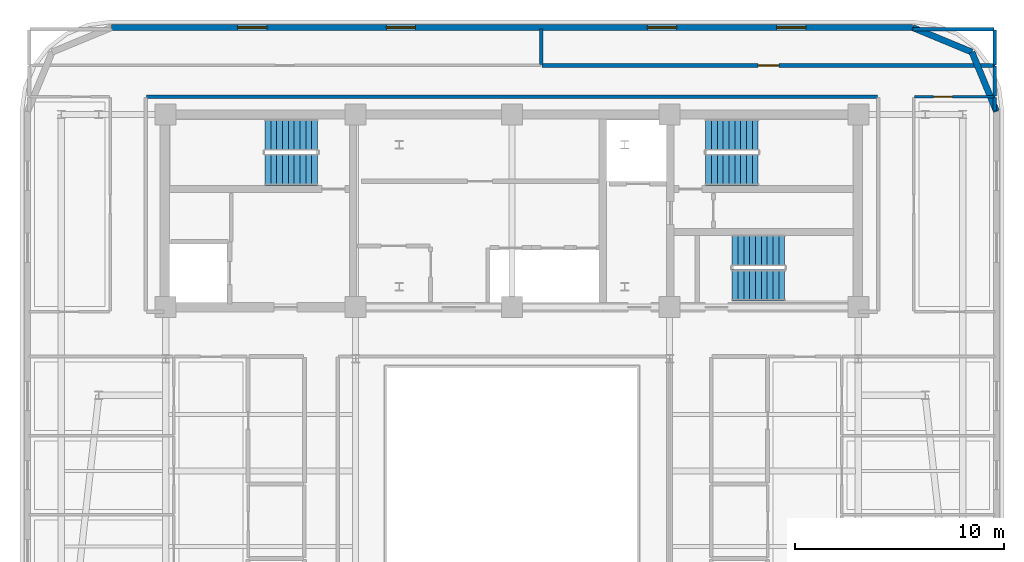
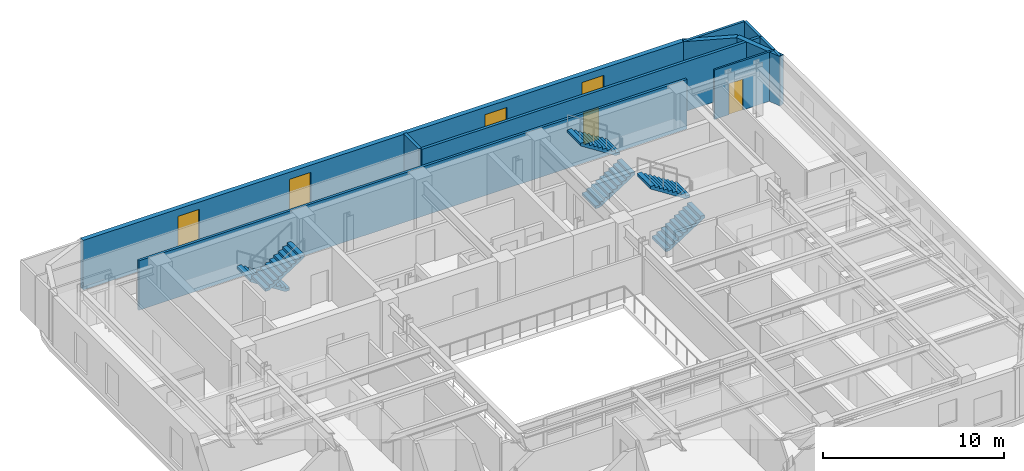
# One storey, part 10 of 14: 11 walls, 6 stair flights, 4 windows, 2 doors, 6 openings, 3 elements without a shape of their own.
"""IFC4 building model written with IfcOpenShell, lengths in metres."""

from ifc_helpers import new_model, si_unit, direction, frame, frame_2d, origin, place, context, subcontext, project, spatial, polyline, rectangle, outline, extrude, material, layer, layer_set, type_object, element, fill, aggregate, save


model = new_model("IFC4")

# Units and contexts
model_context = context("Model", 3, precision=1e-05, world=origin(), true_north=direction((0.0, 1.0)))
body_context = subcontext(model_context, "Body", "Model", "MODEL_VIEW")
ifc_project = project(units=[si_unit("LENGTHUNIT", "METRE"), si_unit("AREAUNIT", "SQUARE_METRE"), si_unit("VOLUMEUNIT", "CUBIC_METRE"), si_unit("PLANEANGLEUNIT", "RADIAN"), si_unit("MASSUNIT", "GRAM", prefix="KILO")], contexts=[model_context])

# Site, building, storey
site_placement = place(None, origin())
site = spatial("IfcSite", under=ifc_project, at=site_placement, CompositionType="ELEMENT")
building_placement = place(site_placement, origin())
building = spatial("IfcBuilding", under=site, at=building_placement, Name="Zarnavel Station Tower", CompositionType="ELEMENT")
storey_placement = place(building_placement, frame((0.0, 0.0, 225.60009765625)))
storey = spatial("IfcBuildingStorey", under=building, at=storey_placement, Name="L61", CompositionType="ELEMENT", Elevation=225.60009765625)

# Walls
ifc_material_1 = material(Name="Precast concrete C45/55 (Dark Basalt Finish)", Category="masonry")
ifc_layer_1 = layer(ifc_material_1, 0.300048828125)
ifc_layer_set_1 = layer_set([ifc_layer_1], Name="EW_BASALT_300")
wall_type_1 = type_object("IfcWallType", Name="EW_BASALT_300", PredefinedType="SOLIDWALL", material=ifc_layer_set_1)
for number, where, z_axis, x_axis, name in (
    (1, (50.842529296875, 40.04248046875, 0.0), (0.0, 0.0, 1.0), (0.382704529509, -0.923870793506, 0.0), "L61 Exterior Basalt Masonry Frame Wall 04"),
    (2, (48.0, 41.219970703125, 0.0), (0.0, 0.0, 1.0), (0.923870793506, -0.382704529509, 0.0), "L61 Exterior Basalt Masonry Frame Wall 05"),
):
    element("IfcWall", number, at=place(storey_placement, frame(where, z_axis=z_axis, x_axis=x_axis)), inside=storey, type_object=wall_type_1, Name=name, PredefinedType="SOLIDWALL", context=body_context, shape_type="SweptSolid", body=[
        extrude(rectangle(XDim=3.07666015625, YDim=0.300048828125, at=frame_2d((1.538330078125, 0.0))), origin(), (0.0, 0.0, 1.0), 3.33984375),
    ])

# Wall, openings, windows
wall_1_placement = place(storey_placement, frame((9.60009765625, 41.219970703125, 0.0), z_axis=(0.0, 0.0, 1.0), x_axis=(1.0, 0.0, 0.0)))
wall_1 = element("IfcWall", 3, at=wall_1_placement, inside=storey, type_object=wall_type_1, Name="L61 Exterior Basalt Masonry Frame Wall 06", PredefinedType="SOLIDWALL", context=body_context, shape_type="SweptSolid", body=[
    extrude(rectangle(XDim=38.39990234375, YDim=0.300048828125, at=frame_2d((19.199951171875, 0.0))), origin(), (0.0, 0.0, 1.0), 3.33984375),
])
opening_1_placement = place(wall_1_placement, frame((6.046630859375, 0.0, 0.75)))
opening_1 = element("IfcOpeningElement", 4, at=opening_1_placement, cuts=wall_1, Name="Opening WN04", PredefinedType="OPENING", context=body_context, shape_type="SweptSolid", body=[
    extrude(rectangle(XDim=1.39990234375, YDim=2.10009765625, at=frame_2d((0.699951171875, 1.050048828125))), frame((0.0, 0.159912109375, 0.0), z_axis=(0.0, -1.0, 0.0), x_axis=(1.0, 0.0, 0.0)), (0.0, 0.0, 1.0), 0.320068359375),
])
opening_2_placement = place(wall_1_placement, frame((13.17333984375, 0.0, 0.75)))
opening_2 = element("IfcOpeningElement", 5, at=opening_2_placement, cuts=wall_1, Name="Opening WN04", PredefinedType="OPENING", context=body_context, shape_type="SweptSolid", body=[
    extrude(rectangle(XDim=1.39990234375, YDim=2.10009765625, at=frame_2d((0.699951171875, 1.050048828125))), frame((0.0, 0.159912109375, 0.0), z_axis=(0.0, -1.0, 0.0), x_axis=(1.0, 0.0, 0.0)), (0.0, 0.0, 1.0), 0.320068359375),
])
opening_3_placement = place(wall_1_placement, frame((25.693359375, 0.0, 0.75)))
opening_3 = element("IfcOpeningElement", 6, at=opening_3_placement, cuts=wall_1, Name="Opening WN04", PredefinedType="OPENING", context=body_context, shape_type="SweptSolid", body=[
    extrude(rectangle(XDim=1.39990234375, YDim=2.10009765625, at=frame_2d((0.699951171875, 1.050048828125))), frame((0.0, 0.159912109375, 0.0), z_axis=(0.0, -1.0, 0.0), x_axis=(1.0, 0.0, 0.0)), (0.0, 0.0, 1.0), 0.320068359375),
])
opening_4_placement = place(wall_1_placement, frame((31.88671875, 0.0, 0.75)))
opening_4 = element("IfcOpeningElement", 7, at=opening_4_placement, cuts=wall_1, Name="Opening WN04", PredefinedType="OPENING", context=body_context, shape_type="SweptSolid", body=[
    extrude(rectangle(XDim=1.39990234375, YDim=2.10009765625, at=frame_2d((0.699951171875, 1.050048828125))), frame((0.0, 0.159912109375, 0.0), z_axis=(0.0, -1.0, 0.0), x_axis=(1.0, 0.0, 0.0)), (0.0, 0.0, 1.0), 0.320068359375),
])
ifc_material_2 = material(Name="Thermally Broken Black Aluminium and Low-E Dark Glass", Category="aluminium")
window_type = type_object("IfcWindowType", Name="WN_1400x2100", PartitioningType="DOUBLE_PANEL_VERTICAL", PredefinedType="WINDOW", material=ifc_material_2)
window_1_placement = place(opening_1_placement, origin())
window_1 = element("IfcWindow", 8, at=window_1_placement, inside=storey, type_object=window_type, Name="L61 Recessed Facade Window 01", OverallHeight=2.10009765625, OverallWidth=1.39990234375, PartitioningType="SINGLE_PANEL", PredefinedType="WINDOW", context=body_context, shape_type="SweptSolid", body=[
    extrude(rectangle(XDim=1.39990234375, YDim=2.10009765625, at=frame_2d((0.699951171875, 1.050048828125))), frame((0.0, 0.030029296875, 0.0), z_axis=(0.0, -1.0, 0.0), x_axis=(1.0, 0.0, 0.0)), (0.0, 0.0, 1.0), 0.06005859375),
])
fill(opening_1, window_1)
window_2_placement = place(opening_2_placement, origin())
window_2 = element("IfcWindow", 9, at=window_2_placement, inside=storey, type_object=window_type, Name="L61 Recessed Facade Window 02", OverallHeight=2.10009765625, OverallWidth=1.39990234375, PartitioningType="SINGLE_PANEL", PredefinedType="WINDOW", context=body_context, shape_type="SweptSolid", body=[
    extrude(rectangle(XDim=1.39990234375, YDim=2.10009765625, at=frame_2d((0.699951171875, 1.050048828125))), frame((0.0, 0.030029296875, 0.0), z_axis=(0.0, -1.0, 0.0), x_axis=(1.0, 0.0, 0.0)), (0.0, 0.0, 1.0), 0.06005859375),
])
fill(opening_2, window_2)
window_3_placement = place(opening_3_placement, origin())
window_3 = element("IfcWindow", 10, at=window_3_placement, inside=storey, type_object=window_type, Name="L61 Recessed Facade Window 03", OverallHeight=2.10009765625, OverallWidth=1.39990234375, PartitioningType="SINGLE_PANEL", PredefinedType="WINDOW", context=body_context, shape_type="SweptSolid", body=[
    extrude(rectangle(XDim=1.39990234375, YDim=2.10009765625, at=frame_2d((0.699951171875, 1.050048828125))), frame((0.0, 0.030029296875, 0.0), z_axis=(0.0, -1.0, 0.0), x_axis=(1.0, 0.0, 0.0)), (0.0, 0.0, 1.0), 0.06005859375),
])
fill(opening_3, window_3)
window_4_placement = place(opening_4_placement, origin())
window_4 = element("IfcWindow", 11, at=window_4_placement, inside=storey, type_object=window_type, Name="L61 Recessed Facade Window 04", OverallHeight=2.10009765625, OverallWidth=1.39990234375, PartitioningType="SINGLE_PANEL", PredefinedType="WINDOW", context=body_context, shape_type="SweptSolid", body=[
    extrude(rectangle(XDim=1.39990234375, YDim=2.10009765625, at=frame_2d((0.699951171875, 1.050048828125))), frame((0.0, 0.030029296875, 0.0), z_axis=(0.0, -1.0, 0.0), x_axis=(1.0, 0.0, 0.0)), (0.0, 0.0, 1.0), 0.06005859375),
])
fill(opening_4, window_4)

# Walls
ifc_material_3 = material(Name="Gypsum Twin-Stud Acoustic Fire Partition", Category="concrete")
ifc_layer_2 = layer(ifc_material_3, 0.159912109375)
ifc_layer_set_2 = layer_set([ifc_layer_2], Name="PT_DEMISE_160")
wall_type_2 = type_object("IfcWallType", Name="PT_DEMISE_160", PredefinedType="PARTITIONING", material=ifc_layer_set_2)
wall_2_placement = place(storey_placement, frame((11.280029296875, 37.89990234375, 0.0), z_axis=(0.0, 0.0, 1.0), x_axis=(1.0, 0.0, 0.0)))
element("IfcWall", 12, at=wall_2_placement, inside=storey, type_object=wall_type_2, Name="L61 Enclosure Wall COR-N", PredefinedType="PARTITIONING", context=body_context, shape_type="SweptSolid", body=[
    extrude(rectangle(XDim=35.0400390625, YDim=0.159912109375, at=frame_2d((17.52001953125, 0.0))), origin(), (0.0, 0.0, 1.0), 3.33984375),
])
wall_3_placement = place(storey_placement, frame((51.93994140625, 37.929931640625, 0.0), z_axis=(0.0, 0.0, 1.0), x_axis=(0.0, 1.0, 0.0)))
element("IfcWall", 13, at=wall_3_placement, inside=storey, type_object=wall_type_2, Name="L61 Enclosure Wall COR-N", PredefinedType="PARTITIONING", context=body_context, shape_type="SweptSolid", body=[
    extrude(rectangle(XDim=1.440185546875, YDim=0.159912109375, at=frame_2d((0.72021484375, 0.0))), origin(), (0.0, 0.0, 1.0), 3.33984375),
])
wall_4_placement = place(storey_placement, frame((51.93994140625, 37.22998046875, 0.0), z_axis=(0.0, 0.0, 1.0), x_axis=(0.0, 1.0, 0.0)))
element("IfcWall", 14, at=wall_4_placement, inside=storey, type_object=wall_type_2, Name="L61 Enclosure Wall FNE", PredefinedType="PARTITIONING", context=body_context, shape_type="SweptSolid", body=[
    extrude(rectangle(XDim=0.64013671875, YDim=0.159912109375, at=frame_2d((0.320068359375, 0.0))), origin(), (0.0, 0.0, 1.0), 3.33984375),
])
wall_5_placement = place(storey_placement, frame((48.030029296875, 41.139892578125, 0.0), z_axis=(0.0, 0.0, 1.0), x_axis=(1.0, 0.0, 0.0)))
element("IfcWall", 15, at=wall_5_placement, inside=storey, type_object=wall_type_2, Name="L61 Enclosure Wall NPAN", PredefinedType="PARTITIONING", context=body_context, shape_type="SweptSolid", body=[
    extrude(rectangle(XDim=3.8798828125, YDim=0.159912109375, at=frame_2d((1.93994140625, 0.0))), origin(), (0.0, 0.0, 1.0), 3.33984375),
])
wall_6_placement = place(storey_placement, frame((51.93994140625, 39.429931640625, 0.0), z_axis=(0.0, 0.0, 1.0), x_axis=(0.0, 1.0, 0.0)))
element("IfcWall", 16, at=wall_6_placement, inside=storey, type_object=wall_type_2, Name="L61 Enclosure Wall NPAN", PredefinedType="PARTITIONING", context=body_context, shape_type="SweptSolid", body=[
    extrude(rectangle(XDim=1.68017578125, YDim=0.159912109375, at=frame_2d((0.840087890625, 0.0))), origin(), (0.0, 0.0, 1.0), 3.33984375),
])

# Wall, opening, door
ifc_material_4 = material(Name="Gypsum Metal-Stud Interior Partition", Category="concrete")
ifc_layer_3 = layer(ifc_material_4, 0.1201171875)
ifc_layer_set_3 = layer_set([ifc_layer_3], Name="PT_ROOM_120")
wall_type_3 = type_object("IfcWallType", Name="PT_ROOM_120", PredefinedType="PARTITIONING", material=ifc_layer_set_3)
wall_7_placement = place(storey_placement, frame((48.090087890625, 37.89990234375, 0.0), z_axis=(0.0, 0.0, 1.0), x_axis=(1.0, 0.0, 0.0)))
wall_7 = element("IfcWall", 17, at=wall_7_placement, inside=storey, type_object=wall_type_3, Name="L61 Partition COR-N-FNE", PredefinedType="PARTITIONING", context=body_context, shape_type="SweptSolid", body=[
    extrude(rectangle(XDim=3.849853515625, YDim=0.1201171875, at=frame_2d((1.9248046875, 0.0))), origin(), (0.0, 0.0, 1.0), 3.33984375),
])
opening_5_placement = place(wall_7_placement, frame((0.918701171875, 0.0, 0.0)))
opening_5 = element("IfcOpeningElement", 18, at=opening_5_placement, cuts=wall_7, Name="Opening ID01", PredefinedType="OPENING", context=body_context, shape_type="SweptSolid", body=[
    extrude(rectangle(XDim=0.89990234375, YDim=2.10009765625, at=frame_2d((0.449951171875, 1.050048828125))), frame((0.0, 0.070068359375, 0.0), z_axis=(0.0, -1.0, 0.0), x_axis=(1.0, 0.0, 0.0)), (0.0, 0.0, 1.0), 0.14013671875),
])
ifc_material_5 = material(Name="Painted Galvanised Steel and Hardwood Leaf", Category="steel")
door_type_1 = type_object("IfcDoorType", Name="ID_ROOM_900", OperationType="NOTDEFINED", PredefinedType="DOOR", material=ifc_material_5)
door_1_placement = place(opening_5_placement, origin())
door_1 = element("IfcDoor", 19, at=door_1_placement, inside=storey, type_object=door_type_1, Name="L61 Door COR-N-FNE", OperationType="SINGLE_SWING_RIGHT", OverallHeight=2.10009765625, OverallWidth=0.89990234375, PredefinedType="DOOR", context=body_context, shape_type="SweptSolid", body=[
    extrude(rectangle(XDim=0.89990234375, YDim=2.10009765625, at=frame_2d((0.449951171875, 1.050048828125))), frame((0.0, 0.02490234375, 0.0), z_axis=(0.0, -1.0, 0.0), x_axis=(1.0, 0.0, 0.0)), (0.0, 0.0, 1.0), 0.050048828125),
])
fill(opening_5, door_1)

ifc_material_6 = material(Name="Moisture-Resistant Plumbing Chase Wall", Category="concrete")
ifc_layer_4 = layer(ifc_material_6, 0.179931640625)
ifc_layer_set_4 = layer_set([ifc_layer_4], Name="PW_PLUMB_180")
wall_type_4 = type_object("IfcWallType", Name="PW_PLUMB_180", PredefinedType="PLUMBINGWALL", material=ifc_layer_set_4)
wall_8_placement = place(storey_placement, frame((30.239990234375, 39.39990234375, 0.0), z_axis=(0.0, 0.0, 1.0), x_axis=(1.0, 0.0, 0.0)))
wall_8 = element("IfcWall", 20, at=wall_8_placement, inside=storey, type_object=wall_type_4, Name="L61 Partition COR-N-NPAN", PredefinedType="PLUMBINGWALL", context=body_context, shape_type="SweptSolid", body=[
    extrude(rectangle(XDim=21.699951171875, YDim=0.179931640625, at=frame_2d((10.85009765625, 0.0))), origin(), (0.0, 0.0, 1.0), 3.33984375),
])
opening_6_placement = place(wall_8_placement, frame((10.35009765625, 0.0, 0.0)))
opening_6 = element("IfcOpeningElement", 21, at=opening_6_placement, cuts=wall_8, Name="Opening FD02", PredefinedType="OPENING", context=body_context, shape_type="SweptSolid", body=[
    extrude(rectangle(XDim=1.0, YDim=2.14990234375, at=frame_2d((0.5, 1.074951171875))), frame((0.0, 0.099853515625, 0.0), z_axis=(0.0, -1.0, 0.0), x_axis=(1.0, 0.0, 0.0)), (0.0, 0.0, 1.0), 0.199951171875),
])
ifc_material_7 = material(Name="Painted Galvanised Steel and Hardwood Leaf", Category="steel")
door_type_2 = type_object("IfcDoorType", Name="ID_ENTRY_1000", OperationType="NOTDEFINED", PredefinedType="DOOR", material=ifc_material_7)
door_2_placement = place(opening_6_placement, origin())
door_2 = element("IfcDoor", 22, at=door_2_placement, inside=storey, type_object=door_type_2, Name="L61 Door COR-N-NPAN", OperationType="SINGLE_SWING_RIGHT", OverallHeight=2.14990234375, OverallWidth=1.0, PredefinedType="DOOR", context=body_context, shape_type="SweptSolid", body=[
    extrude(rectangle(XDim=1.0, YDim=2.14990234375, at=frame_2d((0.5, 1.074951171875))), frame((0.0, 0.02490234375, 0.0), z_axis=(0.0, -1.0, 0.0), x_axis=(1.0, 0.0, 0.0)), (0.0, 0.0, 1.0), 0.050048828125),
])
fill(opening_6, door_2)

# Wall
wall_9_placement = place(storey_placement, frame((30.199951171875, 39.43994140625, 0.0), z_axis=(0.0, 0.0, 1.0), x_axis=(0.0, 1.0, 0.0)))
element("IfcWall", 23, at=wall_9_placement, inside=storey, type_object=wall_type_4, Name="L61 Partition NLOU-NPAN", PredefinedType="PLUMBINGWALL", context=body_context, shape_type="SweptSolid", body=[
    extrude(rectangle(XDim=1.699951171875, YDim=0.179931640625, at=frame_2d((0.85009765625, 0.0))), origin(), (0.0, 0.0, 1.0), 3.33984375),
])

# Stair, stair flights
ifc_material_8 = material(Name="Concrete C45/55", Category="concrete")
stair_type = type_object("IfcStairType", Name="ST_CORE_150", PredefinedType="HALF_TURN_STAIR", material=ifc_material_8)
stair_1_placement = place(storey_placement, origin())
stair_1 = element("IfcStair", 24, at=stair_1_placement, inside=storey, type_object=stair_type, Name="L61 Core Exit Stair ST1", PredefinedType="HALF_TURN_STAIR")
ifc_material_9 = material(Name="Concrete C45/55", Category="concrete")
ifc_layer_5 = layer(ifc_material_9, 0.179931640625)
ifc_layer_set_5 = layer_set([ifc_layer_5], Name="ST_CORE_150_FLT")
stair_flight_type = type_object("IfcStairFlightType", Name="ST_CORE_150_FLT", PredefinedType="STRAIGHT", material=ifc_layer_set_5)
stair_flight_1_placement = place(storey_placement, frame((19.47998046875, 36.070068359375, 0.0), z_axis=(0.0, 0.0, 1.0), x_axis=(-1.0, 0.0, 0.0)))
stair_flight_1 = element("IfcStairFlight", 25, at=stair_flight_1_placement, type_object=stair_flight_type, Name="ST1 flight 1", NumberOfRisers=10, NumberOfTreads=9, PredefinedType="STRAIGHT", RiserHeight=0.18, TreadLength=0.28, context=body_context, shape_type="SweptSolid", body=[
    extrude(outline(polyline([(0.0, 0.0), (0.0, 0.179931640625), (0.280029296875, 0.179931640625), (0.280029296875, 0.360107421875), (0.56005859375, 0.360107421875), (0.56005859375, 0.5400390625), (0.840087890625, 0.5400390625), (0.840087890625, 0.719970703125), (1.1201171875, 0.719970703125), (1.1201171875, 0.89990234375), (1.39990234375, 0.89990234375), (1.39990234375, 1.080078125), (1.679931640625, 1.080078125), (1.679931640625, 1.260009765625), (1.9599609375, 1.260009765625), (1.9599609375, 1.43994140625), (2.239990234375, 1.43994140625), (2.239990234375, 1.6201171875), (2.52001953125, 1.6201171875), (2.52001953125, 1.800048828125), (2.52001953125, 1.44189453125), (0.277099609375, 0.0), (0.0, 0.0)])), frame((0.0, 0.75, 0.0), z_axis=(0.0, -1.0, 0.0), x_axis=(1.0, 0.0, 0.0)), (0.0, 0.0, 1.0), 1.5),
])
stair_flight_2_placement = place(storey_placement, frame((16.9599609375, 34.409912109375, 1.7998046875), z_axis=(0.0, 0.0, 1.0), x_axis=(1.0, 0.0, 0.0)))
stair_flight_2 = element("IfcStairFlight", 26, at=stair_flight_2_placement, type_object=stair_flight_type, Name="ST1 flight 2", NumberOfRisers=10, NumberOfTreads=9, PredefinedType="STRAIGHT", RiserHeight=0.18, TreadLength=0.28, context=body_context, shape_type="SweptSolid", body=[
    extrude(outline(polyline([(0.0, 0.0), (0.0, 0.179931640625), (0.280029296875, 0.179931640625), (0.280029296875, 0.360107421875), (0.56005859375, 0.360107421875), (0.56005859375, 0.5400390625), (0.840087890625, 0.5400390625), (0.840087890625, 0.719970703125), (1.1201171875, 0.719970703125), (1.1201171875, 0.89990234375), (1.39990234375, 0.89990234375), (1.39990234375, 1.080078125), (1.679931640625, 1.080078125), (1.679931640625, 1.260009765625), (1.9599609375, 1.260009765625), (1.9599609375, 1.43994140625), (2.239990234375, 1.43994140625), (2.239990234375, 1.6201171875), (2.52001953125, 1.6201171875), (2.52001953125, 1.800048828125), (2.52001953125, 1.44189453125), (0.277099609375, 0.0), (0.0, 0.0)])), frame((0.0, 0.75, 0.0), z_axis=(0.0, -1.0, 0.0), x_axis=(1.0, 0.0, 0.0)), (0.0, 0.0, 1.0), 1.5),
])
aggregate(stair_1, [stair_flight_1, stair_flight_2])

stair_2_placement = place(storey_placement, origin())
stair_2 = element("IfcStair", 27, at=stair_2_placement, inside=storey, type_object=stair_type, Name="L61 Core Exit Stair ST2", PredefinedType="HALF_TURN_STAIR")
stair_flight_3_placement = place(storey_placement, frame((38.080078125, 34.409912109375, 0.0), z_axis=(0.0, 0.0, 1.0), x_axis=(1.0, 0.0, 0.0)))
stair_flight_3 = element("IfcStairFlight", 28, at=stair_flight_3_placement, type_object=stair_flight_type, Name="ST2 flight 1", NumberOfRisers=10, NumberOfTreads=9, PredefinedType="STRAIGHT", RiserHeight=0.18, TreadLength=0.28, context=body_context, shape_type="SweptSolid", body=[
    extrude(outline(polyline([(0.0, 0.0), (0.0, 0.179931640625), (0.280029296875, 0.179931640625), (0.280029296875, 0.360107421875), (0.56005859375, 0.360107421875), (0.56005859375, 0.5400390625), (0.840087890625, 0.5400390625), (0.840087890625, 0.719970703125), (1.1201171875, 0.719970703125), (1.1201171875, 0.89990234375), (1.39990234375, 0.89990234375), (1.39990234375, 1.080078125), (1.679931640625, 1.080078125), (1.679931640625, 1.260009765625), (1.9599609375, 1.260009765625), (1.9599609375, 1.43994140625), (2.239990234375, 1.43994140625), (2.239990234375, 1.6201171875), (2.52001953125, 1.6201171875), (2.52001953125, 1.800048828125), (2.52001953125, 1.44189453125), (0.277099609375, 0.0), (0.0, 0.0)])), frame((0.0, 0.75, 0.0), z_axis=(0.0, -1.0, 0.0), x_axis=(1.0, 0.0, 0.0)), (0.0, 0.0, 1.0), 1.5),
])
stair_flight_4_placement = place(storey_placement, frame((40.60009765625, 36.070068359375, 1.7998046875), z_axis=(0.0, 0.0, 1.0), x_axis=(-1.0, 0.0, 0.0)))
stair_flight_4 = element("IfcStairFlight", 29, at=stair_flight_4_placement, type_object=stair_flight_type, Name="ST2 flight 2", NumberOfRisers=10, NumberOfTreads=9, PredefinedType="STRAIGHT", RiserHeight=0.18, TreadLength=0.28, context=body_context, shape_type="SweptSolid", body=[
    extrude(outline(polyline([(0.0, 0.0), (0.0, 0.179931640625), (0.280029296875, 0.179931640625), (0.280029296875, 0.360107421875), (0.56005859375, 0.360107421875), (0.56005859375, 0.5400390625), (0.840087890625, 0.5400390625), (0.840087890625, 0.719970703125), (1.1201171875, 0.719970703125), (1.1201171875, 0.89990234375), (1.39990234375, 0.89990234375), (1.39990234375, 1.080078125), (1.679931640625, 1.080078125), (1.679931640625, 1.260009765625), (1.9599609375, 1.260009765625), (1.9599609375, 1.43994140625), (2.239990234375, 1.43994140625), (2.239990234375, 1.6201171875), (2.52001953125, 1.6201171875), (2.52001953125, 1.800048828125), (2.52001953125, 1.44189453125), (0.277099609375, 0.0), (0.0, 0.0)])), frame((0.0, 0.75, 0.0), z_axis=(0.0, -1.0, 0.0), x_axis=(1.0, 0.0, 0.0)), (0.0, 0.0, 1.0), 1.5),
])
aggregate(stair_2, [stair_flight_3, stair_flight_4])

stair_3_placement = place(storey_placement, origin())
stair_3 = element("IfcStair", 30, at=stair_3_placement, inside=storey, type_object=stair_type, Name="L61 Core Exit Stair ST3", PredefinedType="HALF_TURN_STAIR")
stair_flight_5_placement = place(storey_placement, frame((39.35009765625, 28.8701171875, 0.0), z_axis=(0.0, 0.0, 1.0), x_axis=(1.0, 0.0, 0.0)))
stair_flight_5 = element("IfcStairFlight", 31, at=stair_flight_5_placement, type_object=stair_flight_type, Name="ST3 flight 1", NumberOfRisers=10, NumberOfTreads=9, PredefinedType="STRAIGHT", RiserHeight=0.18, TreadLength=0.28, context=body_context, shape_type="SweptSolid", body=[
    extrude(outline(polyline([(0.0, 0.0), (0.0, 0.179931640625), (0.280029296875, 0.179931640625), (0.280029296875, 0.360107421875), (0.56005859375, 0.360107421875), (0.56005859375, 0.5400390625), (0.840087890625, 0.5400390625), (0.840087890625, 0.719970703125), (1.1201171875, 0.719970703125), (1.1201171875, 0.89990234375), (1.39990234375, 0.89990234375), (1.39990234375, 1.080078125), (1.679931640625, 1.080078125), (1.679931640625, 1.260009765625), (1.9599609375, 1.260009765625), (1.9599609375, 1.43994140625), (2.239990234375, 1.43994140625), (2.239990234375, 1.6201171875), (2.52001953125, 1.6201171875), (2.52001953125, 1.800048828125), (2.52001953125, 1.44189453125), (0.277099609375, 0.0), (0.0, 0.0)])), frame((0.0, 0.75, 0.0), z_axis=(0.0, -1.0, 0.0), x_axis=(1.0, 0.0, 0.0)), (0.0, 0.0, 1.0), 1.5),
])
stair_flight_6_placement = place(storey_placement, frame((41.8701171875, 30.530029296875, 1.7998046875), z_axis=(0.0, 0.0, 1.0), x_axis=(-1.0, 0.0, 0.0)))
stair_flight_6 = element("IfcStairFlight", 32, at=stair_flight_6_placement, type_object=stair_flight_type, Name="ST3 flight 2", NumberOfRisers=10, NumberOfTreads=9, PredefinedType="STRAIGHT", RiserHeight=0.18, TreadLength=0.28, context=body_context, shape_type="SweptSolid", body=[
    extrude(outline(polyline([(0.0, 0.0), (0.0, 0.179931640625), (0.280029296875, 0.179931640625), (0.280029296875, 0.360107421875), (0.56005859375, 0.360107421875), (0.56005859375, 0.5400390625), (0.840087890625, 0.5400390625), (0.840087890625, 0.719970703125), (1.1201171875, 0.719970703125), (1.1201171875, 0.89990234375), (1.39990234375, 0.89990234375), (1.39990234375, 1.080078125), (1.679931640625, 1.080078125), (1.679931640625, 1.260009765625), (1.9599609375, 1.260009765625), (1.9599609375, 1.43994140625), (2.239990234375, 1.43994140625), (2.239990234375, 1.6201171875), (2.52001953125, 1.6201171875), (2.52001953125, 1.800048828125), (2.52001953125, 1.44189453125), (0.277099609375, 0.0), (0.0, 0.0)])), frame((0.0, 0.75, 0.0), z_axis=(0.0, -1.0, 0.0), x_axis=(1.0, 0.0, 0.0)), (0.0, 0.0, 1.0), 1.5),
])
aggregate(stair_3, [stair_flight_5, stair_flight_6])

save(model, "model.ifc")
